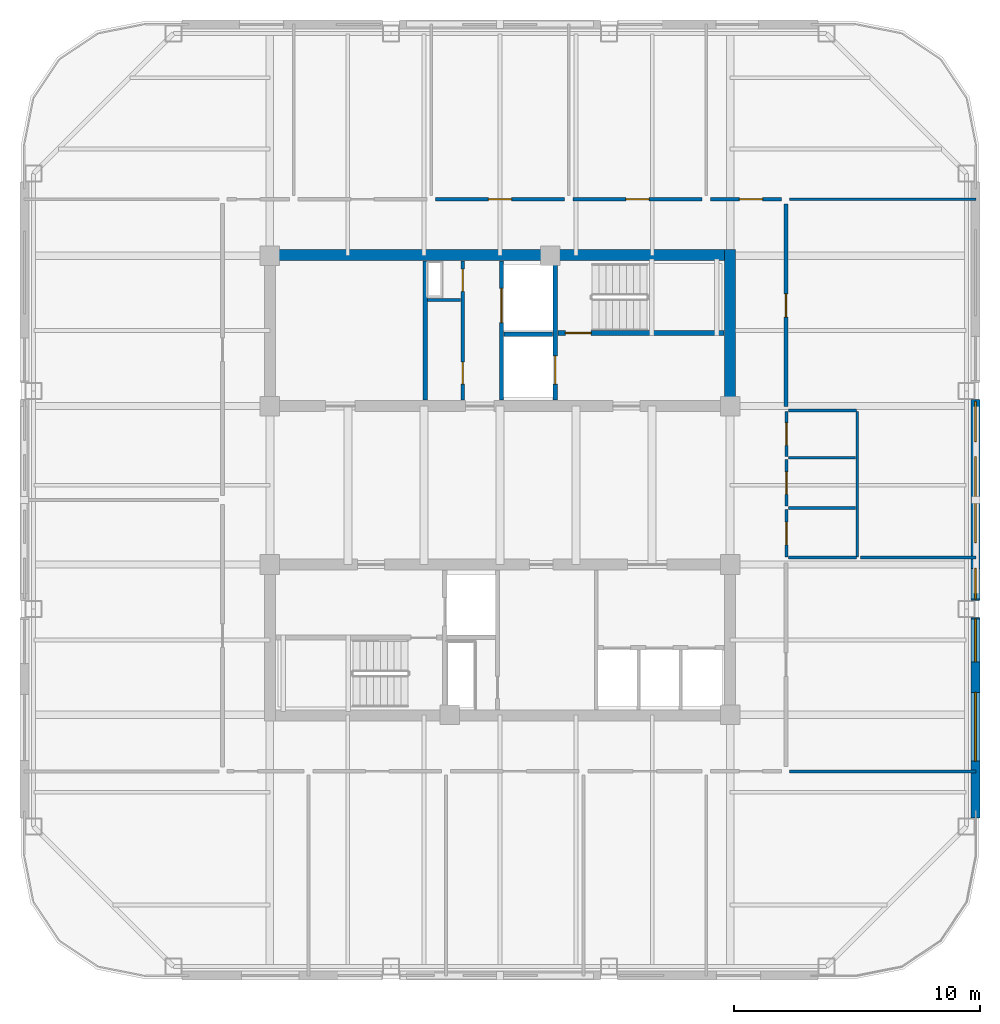
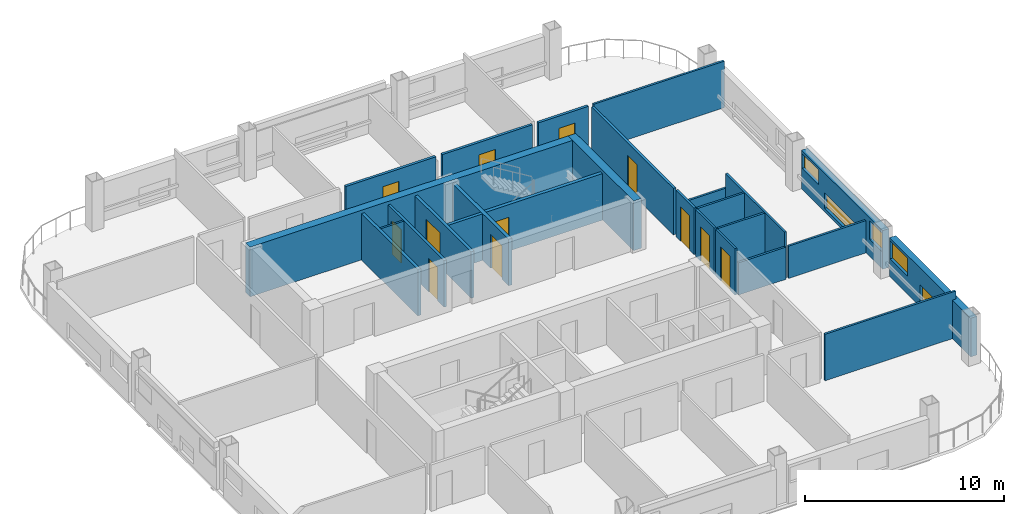
# One storey, part 4 of 8: 26 walls, 12 doors, 5 windows, 17 openings.
"""IFC4 building model written with IfcOpenShell, lengths in metres."""

from ifc_helpers import new_model, si_unit, direction, frame, frame_2d, origin, place, context, subcontext, project, spatial, rectangle, extrude, material, layer, layer_set, type_object, element, fill, save


model = new_model("IFC4")

# Units and contexts
model_context = context("Model", 3, precision=1e-05, world=origin(), true_north=direction((0.0, 1.0)))
body_context = subcontext(model_context, "Body", "Model", "MODEL_VIEW")
ifc_project = project(units=[si_unit("LENGTHUNIT", "METRE"), si_unit("AREAUNIT", "SQUARE_METRE"), si_unit("VOLUMEUNIT", "CUBIC_METRE"), si_unit("PLANEANGLEUNIT", "RADIAN"), si_unit("MASSUNIT", "GRAM", prefix="KILO")], contexts=[model_context])

# Site, building, storey
site_placement = place(None, origin())
site = spatial("IfcSite", under=ifc_project, at=site_placement, CompositionType="ELEMENT")
building_placement = place(site_placement, origin())
building = spatial("IfcBuilding", under=site, at=building_placement, Name="Qhalaya Broadcast Tower", CompositionType="ELEMENT")
storey_placement = place(building_placement, frame((0.0, 0.0, 208.64990234375)))
storey = spatial("IfcBuildingStorey", under=building, at=storey_placement, Name="L61", CompositionType="ELEMENT", Elevation=208.64990234375)

# Wall, openings, doors
ifc_material_1 = material(Name="Gypsum Acoustic Partition")
ifc_layer_1 = layer(ifc_material_1, 0.14990234375, Name="Gypsum Acoustic Partition")
ifc_layer_set_1 = layer_set([ifc_layer_1], Name="Gypsum Acoustic Partition")
wall_type_1 = type_object("IfcWallType", Name="Corridor & Tenancy Acoustic Partition 150", PredefinedType="PARTITIONING", material=ifc_layer_set_1)
wall_1_placement = place(storey_placement, frame((-1.52001953125, 4.070068359375, 0.0), z_axis=(0.0, 0.0, 1.0), x_axis=(0.0, 1.0, 0.0)))
wall_1 = element("IfcWall", 1, at=wall_1_placement, inside=storey, type_object=wall_type_1, Name="L61 Partition Wall NCW-SVL", PredefinedType="PARTITIONING", context=body_context, shape_type="SweptSolid", body=[
    extrude(rectangle(XDim=5.659912109375, YDim=0.14990234375, at=frame_2d((2.830078125, 0.0))), origin(), (0.0, 0.0, 1.0), 2.860107421875),
])
opening_1_placement = place(wall_1_placement, frame((4.429931640625, 0.0, 0.0)))
opening_1 = element("IfcOpeningElement", 2, at=opening_1_placement, cuts=wall_1, Name="Opening D06", PredefinedType="OPENING", context=body_context, shape_type="SweptSolid", body=[
    extrude(rectangle(XDim=0.89990234375, YDim=2.050048828125, at=frame_2d((0.449951171875, 1.02490234375))), frame((0.0, 0.0869140625, 0.0), z_axis=(0.0, -1.0, 0.0), x_axis=(1.0, 0.0, 0.0)), (0.0, 0.0, 1.0), 0.173828125),
])
opening_2_placement = place(wall_1_placement, frame((0.64990234375, 0.0, 0.0)))
opening_2 = element("IfcOpeningElement", 3, at=opening_2_placement, cuts=wall_1, Name="Opening D06", PredefinedType="OPENING", context=body_context, shape_type="SweptSolid", body=[
    extrude(rectangle(XDim=0.89990234375, YDim=2.050048828125, at=frame_2d((0.449951171875, 1.02490234375))), frame((0.0, 0.0869140625, 0.0), z_axis=(0.0, -1.0, 0.0), x_axis=(1.0, 0.0, 0.0)), (0.0, 0.0, 1.0), 0.173828125),
])
ifc_material_2 = material(Name="Fire-Rated Steel Door", Category="steel")
door_type_1 = type_object("IfcDoorType", Name="Riser & Electrical Shaft Access Door D06", OperationType="NOTDEFINED", PredefinedType="DOOR", material=ifc_material_2)
door_1_placement = place(opening_1_placement, origin())
door_1 = element("IfcDoor", 4, at=door_1_placement, inside=storey, type_object=door_type_1, Name="L61 Riser Shaft Access Door D-NRSR", OperationType="SINGLE_SWING_RIGHT", OverallHeight=2.050048828125, OverallWidth=0.89990234375, PredefinedType="DOOR", context=body_context, shape_type="SweptSolid", body=[
    extrude(rectangle(XDim=0.89990234375, YDim=2.050048828125, at=frame_2d((0.449951171875, 1.02490234375))), frame((0.0, 0.02490234375, 0.0), z_axis=(0.0, -1.0, 0.0), x_axis=(1.0, 0.0, 0.0)), (0.0, 0.0, 1.0), 0.050048828125),
])
fill(opening_1, door_1)
door_2_placement = place(opening_2_placement, origin())
door_2 = element("IfcDoor", 5, at=door_2_placement, inside=storey, type_object=door_type_1, Name="L61 Door D-NCST", OperationType="SINGLE_SWING_LEFT", OverallHeight=2.050048828125, OverallWidth=0.89990234375, PredefinedType="DOOR", context=body_context, shape_type="SweptSolid", body=[
    extrude(rectangle(XDim=0.89990234375, YDim=2.050048828125, at=frame_2d((0.449951171875, 1.02490234375))), frame((0.0, 0.02490234375, 0.0), z_axis=(0.0, -1.0, 0.0), x_axis=(1.0, 0.0, 0.0)), (0.0, 0.0, 1.0), 0.050048828125),
])
fill(opening_2, door_2)

# Wall, opening, door
wall_2_placement = place(storey_placement, frame((-2.6201171875, 12.25, 0.0), z_axis=(0.0, 0.0, 1.0), x_axis=(1.0, 0.0, 0.0)))
wall_2 = element("IfcWall", 6, at=wall_2_placement, inside=storey, type_object=wall_type_1, Name="L61 Partition Wall W-COR-03", PredefinedType="PARTITIONING", context=body_context, shape_type="SweptSolid", body=[
    extrude(rectangle(XDim=5.240234375, YDim=0.14990234375, at=frame_2d((2.6201171875, 0.0))), origin(), (0.0, 0.0, 1.0), 2.860107421875),
])
opening_3_placement = place(wall_2_placement, frame((2.14501953125, 0.0, 0.0)))
opening_3 = element("IfcOpeningElement", 7, at=opening_3_placement, cuts=wall_2, Name="Opening D10", PredefinedType="OPENING", context=body_context, shape_type="SweptSolid", body=[
    extrude(rectangle(XDim=0.949951171875, YDim=2.10009765625, at=frame_2d((0.47509765625, 1.050048828125))), frame((0.0, 0.0869140625, 0.0), z_axis=(0.0, -1.0, 0.0), x_axis=(1.0, 0.0, 0.0)), (0.0, 0.0, 1.0), 0.173828125),
])
ifc_material_3 = material(Name="Timber Veneer Acoustic Door", Category="wood")
door_type_2 = type_object("IfcDoorType", Name="Cellular Office & Edit Booth Door D10", OperationType="NOTDEFINED", PredefinedType="DOOR", material=ifc_material_3)
door_3_placement = place(opening_3_placement, origin())
door_3 = element("IfcDoor", 8, at=door_3_placement, inside=storey, type_object=door_type_2, Name="L61 Door D-RM03", OperationType="SINGLE_SWING_LEFT", OverallHeight=2.10009765625, OverallWidth=0.949951171875, PredefinedType="DOOR", context=body_context, shape_type="SweptSolid", body=[
    extrude(rectangle(XDim=0.949951171875, YDim=2.10009765625, at=frame_2d((0.47509765625, 1.050048828125))), frame((0.0, 0.02490234375, 0.0), z_axis=(0.0, -1.0, 0.0), x_axis=(1.0, 0.0, 0.0)), (0.0, 0.0, 1.0), 0.050048828125),
])
fill(opening_3, door_3)

wall_3_placement = place(storey_placement, frame((2.97998046875, 12.25, 0.0), z_axis=(0.0, 0.0, 1.0), x_axis=(1.0, 0.0, 0.0)))
wall_3 = element("IfcWall", 9, at=wall_3_placement, inside=storey, type_object=wall_type_1, Name="L61 Partition Wall W-COR-04", PredefinedType="PARTITIONING", context=body_context, shape_type="SweptSolid", body=[
    extrude(rectangle(XDim=5.239990234375, YDim=0.14990234375, at=frame_2d((2.6201171875, 0.0))), origin(), (0.0, 0.0, 1.0), 2.860107421875),
])
opening_4_placement = place(wall_3_placement, frame((2.14501953125, 0.0, 0.0)))
opening_4 = element("IfcOpeningElement", 10, at=opening_4_placement, cuts=wall_3, Name="Opening D10", PredefinedType="OPENING", context=body_context, shape_type="SweptSolid", body=[
    extrude(rectangle(XDim=0.949951171875, YDim=2.10009765625, at=frame_2d((0.47509765625, 1.050048828125))), frame((0.0, 0.0869140625, 0.0), z_axis=(0.0, -1.0, 0.0), x_axis=(1.0, 0.0, 0.0)), (0.0, 0.0, 1.0), 0.173828125),
])
door_4_placement = place(opening_4_placement, origin())
door_4 = element("IfcDoor", 11, at=door_4_placement, inside=storey, type_object=door_type_2, Name="L61 Door D-RM04", OperationType="SINGLE_SWING_RIGHT", OverallHeight=2.10009765625, OverallWidth=0.949951171875, PredefinedType="DOOR", context=body_context, shape_type="SweptSolid", body=[
    extrude(rectangle(XDim=0.949951171875, YDim=2.10009765625, at=frame_2d((0.47509765625, 1.050048828125))), frame((0.0, 0.02490234375, 0.0), z_axis=(0.0, -1.0, 0.0), x_axis=(1.0, 0.0, 0.0)), (0.0, 0.0, 1.0), 0.050048828125),
])
fill(opening_4, door_4)

wall_4_placement = place(storey_placement, frame((8.580078125, 12.25, 0.0), z_axis=(0.0, 0.0, 1.0), x_axis=(1.0, 0.0, 0.0)))
wall_4 = element("IfcWall", 12, at=wall_4_placement, inside=storey, type_object=wall_type_1, Name="L61 Partition Wall W-COR-05", PredefinedType="PARTITIONING", context=body_context, shape_type="SweptSolid", body=[
    extrude(rectangle(XDim=2.889892578125, YDim=0.14990234375, at=frame_2d((1.44482421875, 0.0))), origin(), (0.0, 0.0, 1.0), 2.860107421875),
])
opening_5_placement = place(wall_4_placement, frame((1.169921875, 0.0, 0.0)))
opening_5 = element("IfcOpeningElement", 13, at=opening_5_placement, cuts=wall_4, Name="Opening D10", PredefinedType="OPENING", context=body_context, shape_type="SweptSolid", body=[
    extrude(rectangle(XDim=0.949951171875, YDim=2.10009765625, at=frame_2d((0.47509765625, 1.050048828125))), frame((0.0, 0.0869140625, 0.0), z_axis=(0.0, -1.0, 0.0), x_axis=(1.0, 0.0, 0.0)), (0.0, 0.0, 1.0), 0.173828125),
])
door_5_placement = place(opening_5_placement, origin())
door_5 = element("IfcDoor", 14, at=door_5_placement, inside=storey, type_object=door_type_2, Name="L61 Door D-RM05", OperationType="SINGLE_SWING_LEFT", OverallHeight=2.10009765625, OverallWidth=0.949951171875, PredefinedType="DOOR", context=body_context, shape_type="SweptSolid", body=[
    extrude(rectangle(XDim=0.949951171875, YDim=2.10009765625, at=frame_2d((0.47509765625, 1.050048828125))), frame((0.0, 0.02490234375, 0.0), z_axis=(0.0, -1.0, 0.0), x_axis=(1.0, 0.0, 0.0)), (0.0, 0.0, 1.0), 0.050048828125),
])
fill(opening_5, door_5)

wall_5_placement = place(storey_placement, frame((11.64990234375, 3.800048828125, 0.0), z_axis=(0.0, 0.0, 1.0), x_axis=(0.0, 1.0, 0.0)))
wall_5 = element("IfcWall", 15, at=wall_5_placement, inside=storey, type_object=wall_type_1, Name="L61 Partition Wall W-COR-14", PredefinedType="PARTITIONING", context=body_context, shape_type="SweptSolid", body=[
    extrude(rectangle(XDim=8.25, YDim=0.14990234375, at=frame_2d((4.125, 0.0))), origin(), (0.0, 0.0, 1.0), 2.860107421875),
])
opening_6_placement = place(wall_5_placement, frame((3.64990234375, 0.0, 0.0)))
opening_6 = element("IfcOpeningElement", 16, at=opening_6_placement, cuts=wall_5, Name="Opening D10", PredefinedType="OPENING", context=body_context, shape_type="SweptSolid", body=[
    extrude(rectangle(XDim=0.949951171875, YDim=2.10009765625, at=frame_2d((0.47509765625, 1.050048828125))), frame((0.0, 0.0869140625, 0.0), z_axis=(0.0, -1.0, 0.0), x_axis=(1.0, 0.0, 0.0)), (0.0, 0.0, 1.0), 0.173828125),
])
door_6_placement = place(opening_6_placement, origin())
door_6 = element("IfcDoor", 17, at=door_6_placement, inside=storey, type_object=door_type_2, Name="L61 Door D-RM14", OperationType="SINGLE_SWING_RIGHT", OverallHeight=2.10009765625, OverallWidth=0.949951171875, PredefinedType="DOOR", context=body_context, shape_type="SweptSolid", body=[
    extrude(rectangle(XDim=0.949951171875, YDim=2.10009765625, at=frame_2d((0.47509765625, 1.050048828125))), frame((0.0, 0.02490234375, 0.0), z_axis=(0.0, -1.0, 0.0), x_axis=(1.0, 0.0, 0.0)), (0.0, 0.0, 1.0), 0.050048828125),
])
fill(opening_6, door_6)

# Wall, openings, windows
ifc_material_4 = material(Name="Precast Concrete C40/50", Category="concrete")
ifc_layer_2 = layer(ifc_material_4, 0.360107421875, Name="Precast Concrete C40/50")
ifc_layer_set_2 = layer_set([ifc_layer_2], Name="Precast Concrete C40/50")
wall_type_2 = type_object("IfcWallType", Name="Insulated Precast Terracotta Exterior Wall 360", PredefinedType="SOLIDWALL", material=ifc_layer_set_2)
wall_6_placement = place(storey_placement, frame((19.360107421875, 4.083251953125, 0.0), z_axis=(0.0, 0.0, 1.0), x_axis=(0.0, -1.0, 0.0)))
wall_6 = element("IfcWall", 18, at=wall_6_placement, inside=storey, type_object=wall_type_2, Name="L61 Exoskeleton Diagrid Infill Wall E2", PredefinedType="SOLIDWALL", context=body_context, shape_type="SweptSolid", body=[
    extrude(rectangle(XDim=8.16650390625, YDim=0.360107421875, at=frame_2d((4.083251953125, 0.0))), origin(), (0.0, 0.0, 1.0), 2.3740234375),
])
opening_7_placement = place(wall_6_placement, frame((0.071044921875, 0.0, 1.300048828125)))
opening_7 = element("IfcOpeningElement", 19, at=opening_7_placement, cuts=wall_6, Name="Opening W13", PredefinedType="OPENING", context=body_context, shape_type="SweptSolid", body=[
    extrude(rectangle(XDim=1.64990234375, YDim=0.89990234375, at=frame_2d((0.824951171875, 0.449951171875))), frame((0.0, 0.192138671875, 0.0), z_axis=(0.0, -1.0, 0.0), x_axis=(1.0, 0.0, 0.0)), (0.0, 0.0, 1.0), 0.384033203125),
])
opening_8_placement = place(wall_6_placement, frame((2.321044921875, 0.0, 0.199951171875)))
opening_8 = element("IfcOpeningElement", 20, at=opening_8_placement, cuts=wall_6, Name="Opening W13", PredefinedType="OPENING", context=body_context, shape_type="SweptSolid", body=[
    extrude(rectangle(XDim=3.5, YDim=0.949951171875, at=frame_2d((1.75, 0.47509765625))), frame((0.0, 0.192138671875, 0.0), z_axis=(0.0, -1.0, 0.0), x_axis=(1.0, 0.0, 0.0)), (0.0, 0.0, 1.0), 0.384033203125),
])
opening_9_placement = place(wall_6_placement, frame((6.87109375, 0.0, 1.050048828125)))
opening_9 = element("IfcOpeningElement", 21, at=opening_9_placement, cuts=wall_6, Name="Opening W13", PredefinedType="OPENING", context=body_context, shape_type="SweptSolid", body=[
    extrude(rectangle(XDim=1.25, YDim=1.14990234375, at=frame_2d((0.625, 0.574951171875))), frame((0.0, 0.192138671875, 0.0), z_axis=(0.0, -1.0, 0.0), x_axis=(1.0, 0.0, 0.0)), (0.0, 0.0, 1.0), 0.384033203125),
])
ifc_material_5 = material(Name="Solar-Control Low-E Triple Glazing", Category="glass")
window_type = type_object("IfcWindowType", Name="Upper-Block Diagrid Infill Window W13", PartitioningType="SINGLE_PANEL", PredefinedType="WINDOW", material=ifc_material_5)
window_1_placement = place(opening_7_placement, origin())
window_1 = element("IfcWindow", 22, at=window_1_placement, inside=storey, type_object=window_type, Name="L61 Diagrid Infill Window W13-E3", OverallHeight=0.89990234375, OverallWidth=1.64990234375, PartitioningType="SINGLE_PANEL", PredefinedType="WINDOW", context=body_context, shape_type="SweptSolid", body=[
    extrude(rectangle(XDim=1.64990234375, YDim=0.89990234375, at=frame_2d((0.824951171875, 0.449951171875))), frame((0.0, 0.030029296875, 0.0), z_axis=(0.0, -1.0, 0.0), x_axis=(1.0, 0.0, 0.0)), (0.0, 0.0, 1.0), 0.06005859375),
])
fill(opening_7, window_1)
window_2_placement = place(opening_8_placement, origin())
window_2 = element("IfcWindow", 23, at=window_2_placement, inside=storey, type_object=window_type, Name="L61 Diagrid Infill Window W13-E4", OverallHeight=0.949951171875, OverallWidth=3.5, PartitioningType="SINGLE_PANEL", PredefinedType="WINDOW", context=body_context, shape_type="SweptSolid", body=[
    extrude(rectangle(XDim=3.5, YDim=0.949951171875, at=frame_2d((1.75, 0.47509765625))), frame((0.0, 0.030029296875, 0.0), z_axis=(0.0, -1.0, 0.0), x_axis=(1.0, 0.0, 0.0)), (0.0, 0.0, 1.0), 0.06005859375),
])
fill(opening_8, window_2)
window_3_placement = place(opening_9_placement, origin())
window_3 = element("IfcWindow", 24, at=window_3_placement, inside=storey, type_object=window_type, Name="L61 Diagrid Infill Window W13-E5", OverallHeight=1.14990234375, OverallWidth=1.25, PartitioningType="SINGLE_PANEL", PredefinedType="WINDOW", context=body_context, shape_type="SweptSolid", body=[
    extrude(rectangle(XDim=1.25, YDim=1.14990234375, at=frame_2d((0.625, 0.574951171875))), frame((0.0, 0.030029296875, 0.0), z_axis=(0.0, -1.0, 0.0), x_axis=(1.0, 0.0, 0.0)), (0.0, 0.0, 1.0), 0.06005859375),
])
fill(opening_9, window_3)

wall_7_placement = place(storey_placement, frame((19.360107421875, -4.783203125, 0.0), z_axis=(0.0, 0.0, 1.0), x_axis=(0.0, -1.0, 0.0)))
wall_7 = element("IfcWall", 25, at=wall_7_placement, inside=storey, type_object=wall_type_2, Name="L61 Exoskeleton Diagrid Infill Wall E3", PredefinedType="SOLIDWALL", context=body_context, shape_type="SweptSolid", body=[
    extrude(rectangle(XDim=8.1787109375, YDim=0.360107421875, at=frame_2d((4.08935546875, 0.0))), origin(), (0.0, 0.0, 1.0), 2.3740234375),
])
opening_10_placement = place(wall_7_placement, frame((0.054931640625, 0.0, 1.10009765625)))
opening_10 = element("IfcOpeningElement", 26, at=opening_10_placement, cuts=wall_7, Name="Opening W13", PredefinedType="OPENING", context=body_context, shape_type="SweptSolid", body=[
    extrude(rectangle(XDim=1.75, YDim=1.10009765625, at=frame_2d((0.875, 0.550048828125))), frame((0.0, 0.192138671875, 0.0), z_axis=(0.0, -1.0, 0.0), x_axis=(1.0, 0.0, 0.0)), (0.0, 0.0, 1.0), 0.384033203125),
])
opening_11_placement = place(wall_7_placement, frame((3.054931640625, 0.0, 0.199951171875)))
opening_11 = element("IfcOpeningElement", 27, at=opening_11_placement, cuts=wall_7, Name="Opening W13", PredefinedType="OPENING", context=body_context, shape_type="SweptSolid", body=[
    extrude(rectangle(XDim=2.800048828125, YDim=1.14990234375, at=frame_2d((1.39990234375, 0.574951171875))), frame((0.0, 0.192138671875, 0.0), z_axis=(0.0, -1.0, 0.0), x_axis=(1.0, 0.0, 0.0)), (0.0, 0.0, 1.0), 0.384033203125),
])
window_4_placement = place(opening_10_placement, origin())
window_4 = element("IfcWindow", 28, at=window_4_placement, inside=storey, type_object=window_type, Name="L61 Diagrid Infill Window W13-E6", OverallHeight=1.10009765625, OverallWidth=1.75, PartitioningType="SINGLE_PANEL", PredefinedType="WINDOW", context=body_context, shape_type="SweptSolid", body=[
    extrude(rectangle(XDim=1.75, YDim=1.10009765625, at=frame_2d((0.875, 0.550048828125))), frame((0.0, 0.030029296875, 0.0), z_axis=(0.0, -1.0, 0.0), x_axis=(1.0, 0.0, 0.0)), (0.0, 0.0, 1.0), 0.06005859375),
])
fill(opening_10, window_4)
window_5_placement = place(opening_11_placement, origin())
window_5 = element("IfcWindow", 29, at=window_5_placement, inside=storey, type_object=window_type, Name="L61 Diagrid Infill Window W13-E7", OverallHeight=1.14990234375, OverallWidth=2.800048828125, PartitioningType="SINGLE_PANEL", PredefinedType="WINDOW", context=body_context, shape_type="SweptSolid", body=[
    extrude(rectangle(XDim=2.800048828125, YDim=1.14990234375, at=frame_2d((1.39990234375, 0.574951171875))), frame((0.0, 0.030029296875, 0.0), z_axis=(0.0, -1.0, 0.0), x_axis=(1.0, 0.0, 0.0)), (0.0, 0.0, 1.0), 0.06005859375),
])
fill(opening_11, window_5)

# Wall, opening, door
ifc_material_6 = material(Name="Concrete C50/60", Category="concrete")
ifc_layer_3 = layer(ifc_material_6, 0.199951171875, Name="Concrete C50/60")
ifc_layer_set_3 = layer_set([ifc_layer_3], Name="Concrete C50/60")
wall_type_3 = type_object("IfcWallType", Name="Load-Bearing Stair Shaft Wall 200", PredefinedType="SHEAR", material=ifc_layer_set_3)
wall_8_placement = place(storey_placement, frame((2.360107421875, 6.804931640625, 0.0), z_axis=(0.0, 0.0, 1.0), x_axis=(1.0, 0.0, 0.0)))
wall_8 = element("IfcWall", 30, at=wall_8_placement, inside=storey, type_object=wall_type_3, Name="L61 Stair Core Shear Wall NCW-ST1", PredefinedType="SHEAR", context=body_context, shape_type="SweptSolid", body=[
    extrude(rectangle(XDim=6.769775390625, YDim=0.199951171875, at=frame_2d((3.384765625, 0.0))), origin(), (0.0, 0.0, 1.0), 2.860107421875),
])
opening_12_placement = place(wall_8_placement, frame((0.300048828125, 0.0, 0.0)))
opening_12 = element("IfcOpeningElement", 31, at=opening_12_placement, cuts=wall_8, Name="Opening D03", PredefinedType="OPENING", context=body_context, shape_type="SweptSolid", body=[
    extrude(rectangle(XDim=1.050048828125, YDim=2.080078125, at=frame_2d((0.52490234375, 1.0400390625))), frame((0.0, 0.112060546875, 0.0), z_axis=(0.0, -1.0, 0.0), x_axis=(1.0, 0.0, 0.0)), (0.0, 0.0, 1.0), 0.223876953125),
])
door_type_3 = type_object("IfcDoorType", Name="Core Stair Protected Fire Door D03", OperationType="NOTDEFINED", PredefinedType="DOOR", material=ifc_material_2)
door_7_placement = place(opening_12_placement, origin())
door_7 = element("IfcDoor", 32, at=door_7_placement, inside=storey, type_object=door_type_3, Name="L61 Door D-NST1", OperationType="SINGLE_SWING_LEFT", OverallHeight=2.080078125, OverallWidth=1.050048828125, PredefinedType="DOOR", context=body_context, shape_type="SweptSolid", body=[
    extrude(rectangle(XDim=1.050048828125, YDim=2.080078125, at=frame_2d((0.52490234375, 1.0400390625))), frame((0.0, 0.02490234375, 0.0), z_axis=(0.0, -1.0, 0.0), x_axis=(1.0, 0.0, 0.0)), (0.0, 0.0, 1.0), 0.050048828125),
])
fill(opening_12, door_7)

wall_9_placement = place(storey_placement, frame((2.25, 4.070068359375, 0.0), z_axis=(0.0, 0.0, 1.0), x_axis=(0.0, 1.0, 0.0)))
wall_9 = element("IfcWall", 33, at=wall_9_placement, inside=storey, type_object=wall_type_3, Name="L61 Stair Core Shear Wall NCW-FF", PredefinedType="SHEAR", context=body_context, shape_type="SweptSolid", body=[
    extrude(rectangle(XDim=5.659912109375, YDim=0.199951171875, at=frame_2d((2.830078125, 0.0))), origin(), (0.0, 0.0, 1.0), 2.860107421875),
])
opening_13_placement = place(wall_9_placement, frame((0.64990234375, 0.0, 0.0)))
opening_13 = element("IfcOpeningElement", 34, at=opening_13_placement, cuts=wall_9, Name="Opening LD2", PredefinedType="OPENING", context=body_context, shape_type="SweptSolid", body=[
    extrude(rectangle(XDim=1.14990234375, YDim=2.080078125, at=frame_2d((0.574951171875, 1.0400390625))), frame((0.0, 0.112060546875, 0.0), z_axis=(0.0, -1.0, 0.0), x_axis=(1.0, 0.0, 0.0)), (0.0, 0.0, 1.0), 0.223876953125),
])
ifc_material_7 = material(Name="Brushed Stainless Steel Lift Door", Category="steel")
door_type_4 = type_object("IfcDoorType", Name="Firefighting Lift Sliding Landing Door LD2", OperationType="DOUBLE_DOOR_SLIDING", PredefinedType="DOOR", material=ifc_material_7)
door_8_placement = place(opening_13_placement, origin())
door_8 = element("IfcDoor", 35, at=door_8_placement, inside=storey, type_object=door_type_4, Name="L61 Door LD-FF1", OperationType="DOUBLE_DOOR_SLIDING", OverallHeight=2.080078125, OverallWidth=1.14990234375, PredefinedType="DOOR", context=body_context, shape_type="SweptSolid", body=[
    extrude(rectangle(XDim=1.14990234375, YDim=2.080078125, at=frame_2d((0.574951171875, 1.0400390625))), frame((0.0, 0.02490234375, 0.0), z_axis=(0.0, -1.0, 0.0), x_axis=(1.0, 0.0, 0.0)), (0.0, 0.0, 1.0), 0.050048828125),
])
fill(opening_13, door_8)

# Wall
ifc_layer_4 = layer(ifc_material_1, 0.1201171875, Name="Gypsum Acoustic Partition")
ifc_layer_set_4 = layer_set([ifc_layer_4], Name="Gypsum Acoustic Partition")
wall_type_4 = type_object("IfcWallType", Name="Office, Booth & Sanitary Partition 120", PredefinedType="PARTITIONING", material=ifc_layer_set_4)
wall_10_placement = place(storey_placement, frame((-2.9599609375, 8.14990234375, 0.0), z_axis=(0.0, 0.0, 1.0), x_axis=(1.0, 0.0, 0.0)))
element("IfcWall", 36, at=wall_10_placement, inside=storey, type_object=wall_type_4, Name="L61 Partition Wall NCW-VA", PredefinedType="PARTITIONING", context=body_context, shape_type="SweptSolid", body=[
    extrude(rectangle(XDim=1.35986328125, YDim=0.1201171875, at=frame_2d((0.679931640625, 0.0))), origin(), (0.0, 0.0, 1.0), 2.860107421875),
])

# Wall, opening, door
wall_11_placement = place(storey_placement, frame((11.669921875, -2.320068359375, 0.0), z_axis=(0.0, 0.0, 1.0), x_axis=(0.0, 1.0, 0.0)))
wall_11 = element("IfcWall", 37, at=wall_11_placement, inside=storey, type_object=wall_type_4, Name="L61 Partition Wall W-WCWA", PredefinedType="PARTITIONING", context=body_context, shape_type="SweptSolid", body=[
    extrude(rectangle(XDim=1.940185546875, YDim=0.1201171875, at=frame_2d((0.97021484375, 0.0))), origin(), (0.0, 0.0, 1.0), 2.860107421875),
])
opening_14_placement = place(wall_11_placement, frame((0.4951171875, 0.0, 0.0)))
opening_14 = element("IfcOpeningElement", 38, at=opening_14_placement, cuts=wall_11, Name="Opening D12", PredefinedType="OPENING", context=body_context, shape_type="SweptSolid", body=[
    extrude(rectangle(XDim=0.919921875, YDim=2.10009765625, at=frame_2d((0.4599609375, 1.050048828125))), frame((0.0, 0.072021484375, 0.0), z_axis=(0.0, -1.0, 0.0), x_axis=(1.0, 0.0, 0.0)), (0.0, 0.0, 1.0), 0.14404296875),
])
door_type_5 = type_object("IfcDoorType", Name="Accessible WC & Restroom Door D12", OperationType="NOTDEFINED", PredefinedType="DOOR", material=ifc_material_3)
door_9_placement = place(opening_14_placement, origin())
door_9 = element("IfcDoor", 39, at=door_9_placement, inside=storey, type_object=door_type_5, Name="L61 Door D-WCA", OperationType="SINGLE_SWING_LEFT", OverallHeight=2.10009765625, OverallWidth=0.919921875, PredefinedType="DOOR", context=body_context, shape_type="SweptSolid", body=[
    extrude(rectangle(XDim=0.919921875, YDim=2.10009765625, at=frame_2d((0.4599609375, 1.050048828125))), frame((0.0, 0.02490234375, 0.0), z_axis=(0.0, -1.0, 0.0), x_axis=(1.0, 0.0, 0.0)), (0.0, 0.0, 1.0), 0.050048828125),
])
fill(opening_14, door_9)

wall_12_placement = place(storey_placement, frame((11.669921875, -0.25, 0.0), z_axis=(0.0, 0.0, 1.0), x_axis=(0.0, 1.0, 0.0)))
wall_12 = element("IfcWall", 40, at=wall_12_placement, inside=storey, type_object=wall_type_4, Name="L61 Partition Wall W-WCWM", PredefinedType="PARTITIONING", context=body_context, shape_type="SweptSolid", body=[
    extrude(rectangle(XDim=1.89990234375, YDim=0.1201171875, at=frame_2d((0.949951171875, 0.0))), origin(), (0.0, 0.0, 1.0), 2.860107421875),
])
opening_15_placement = place(wall_12_placement, frame((0.47509765625, 0.0, 0.0)))
opening_15 = element("IfcOpeningElement", 41, at=opening_15_placement, cuts=wall_12, Name="Opening D12", PredefinedType="OPENING", context=body_context, shape_type="SweptSolid", body=[
    extrude(rectangle(XDim=0.919921875, YDim=2.10009765625, at=frame_2d((0.4599609375, 1.050048828125))), frame((0.0, 0.072021484375, 0.0), z_axis=(0.0, -1.0, 0.0), x_axis=(1.0, 0.0, 0.0)), (0.0, 0.0, 1.0), 0.14404296875),
])
door_10_placement = place(opening_15_placement, origin())
door_10 = element("IfcDoor", 42, at=door_10_placement, inside=storey, type_object=door_type_5, Name="L61 Door D-WCM", OperationType="SINGLE_SWING_RIGHT", OverallHeight=2.10009765625, OverallWidth=0.919921875, PredefinedType="DOOR", context=body_context, shape_type="SweptSolid", body=[
    extrude(rectangle(XDim=0.919921875, YDim=2.10009765625, at=frame_2d((0.4599609375, 1.050048828125))), frame((0.0, 0.02490234375, 0.0), z_axis=(0.0, -1.0, 0.0), x_axis=(1.0, 0.0, 0.0)), (0.0, 0.0, 1.0), 0.050048828125),
])
fill(opening_15, door_10)

wall_13_placement = place(storey_placement, frame((11.669921875, 1.780029296875, 0.0), z_axis=(0.0, 0.0, 1.0), x_axis=(0.0, 1.0, 0.0)))
wall_13 = element("IfcWall", 43, at=wall_13_placement, inside=storey, type_object=wall_type_4, Name="L61 Partition Wall W-WCWF", PredefinedType="PARTITIONING", context=body_context, shape_type="SweptSolid", body=[
    extrude(rectangle(XDim=1.830078125, YDim=0.1201171875, at=frame_2d((0.9150390625, 0.0))), origin(), (0.0, 0.0, 1.0), 2.860107421875),
])
opening_16_placement = place(wall_13_placement, frame((0.43994140625, 0.0, 0.0)))
opening_16 = element("IfcOpeningElement", 44, at=opening_16_placement, cuts=wall_13, Name="Opening D12", PredefinedType="OPENING", context=body_context, shape_type="SweptSolid", body=[
    extrude(rectangle(XDim=0.919921875, YDim=2.10009765625, at=frame_2d((0.4599609375, 1.050048828125))), frame((0.0, 0.072021484375, 0.0), z_axis=(0.0, -1.0, 0.0), x_axis=(1.0, 0.0, 0.0)), (0.0, 0.0, 1.0), 0.14404296875),
])
door_11_placement = place(opening_16_placement, origin())
door_11 = element("IfcDoor", 45, at=door_11_placement, inside=storey, type_object=door_type_5, Name="L61 Door D-WCF", OperationType="SINGLE_SWING_LEFT", OverallHeight=2.10009765625, OverallWidth=0.919921875, PredefinedType="DOOR", context=body_context, shape_type="SweptSolid", body=[
    extrude(rectangle(XDim=0.919921875, YDim=2.10009765625, at=frame_2d((0.4599609375, 1.050048828125))), frame((0.0, 0.02490234375, 0.0), z_axis=(0.0, -1.0, 0.0), x_axis=(1.0, 0.0, 0.0)), (0.0, 0.0, 1.0), 0.050048828125),
])
fill(opening_16, door_11)

# Walls
wall_14_placement = place(storey_placement, frame((14.550048828125, -2.320068359375, 0.0), z_axis=(0.0, 0.0, 1.0), x_axis=(0.0, 1.0, 0.0)))
element("IfcWall", 46, at=wall_14_placement, inside=storey, type_object=wall_type_4, Name="L61 Partition Wall W-WCE", PredefinedType="PARTITIONING", context=body_context, shape_type="SweptSolid", body=[
    extrude(rectangle(XDim=5.93017578125, YDim=0.1201171875, at=frame_2d((2.965087890625, 0.0))), origin(), (0.0, 0.0, 1.0), 2.860107421875),
])
for number, where, z_axis, x_axis, name in (
    (47, (11.760009765625, -2.35009765625, 0.0), (0.0, 0.0, 1.0), (1.0, 0.0, 0.0), "L61 Partition Wall W-WCS"),
    (48, (11.760009765625, 3.639892578125, 0.0), (0.0, 0.0, 1.0), (1.0, 0.0, 0.0), "L61 Partition Wall W-WCN"),
):
    element("IfcWall", number, at=place(storey_placement, frame(where, z_axis=z_axis, x_axis=x_axis)), inside=storey, type_object=wall_type_4, Name=name, PredefinedType="PARTITIONING", context=body_context, shape_type="SweptSolid", body=[
        extrude(rectangle(XDim=2.760009765625, YDim=0.1201171875, at=frame_2d((1.3798828125, 0.0))), origin(), (0.0, 0.0, 1.0), 1.981201171875),
    ])
for number, where, z_axis, x_axis, name in (
    (49, (11.760009765625, -0.320068359375, 0.0), (0.0, 0.0, 1.0), (1.0, 0.0, 0.0), "L61 Partition Wall W-WCD1"),
    (50, (11.760009765625, 1.719970703125, 0.0), (0.0, 0.0, 1.0), (1.0, 0.0, 0.0), "L61 Partition Wall W-WCD2"),
):
    element("IfcWall", number, at=place(storey_placement, frame(where, z_axis=z_axis, x_axis=x_axis)), inside=storey, type_object=wall_type_4, Name=name, PredefinedType="PARTITIONING", context=body_context, shape_type="SweptSolid", body=[
        extrude(rectangle(XDim=2.719970703125, YDim=0.1201171875, at=frame_2d((1.35986328125, 0.0))), origin(), (0.0, 0.0, 1.0), 2.860107421875),
    ])
for number, where, z_axis, x_axis, name in (
    (51, (11.7900390625, 12.25, 0.0), (0.0, 0.0, 1.0), (1.0, 0.0, 0.0), "L61 Partition Wall W-BNDE1"),
    (52, (11.7900390625, -11.050048828125, 0.0), (0.0, 0.0, 1.0), (1.0, 0.0, 0.0), "L61 Partition Wall W-BNDE2"),
):
    element("IfcWall", number, at=place(storey_placement, frame(where, z_axis=z_axis, x_axis=x_axis)), inside=storey, type_object=wall_type_4, Name=name, PredefinedType="PARTITIONING", context=body_context, shape_type="SweptSolid", body=[
        extrude(rectangle(XDim=7.58984375, YDim=0.1201171875, at=frame_2d((3.794921875, 0.0))), origin(), (0.0, 0.0, 1.0), 2.860107421875),
    ])
wall_15_placement = place(storey_placement, frame((14.68994140625, -2.35009765625, 0.0), z_axis=(0.0, 0.0, 1.0), x_axis=(1.0, 0.0, 0.0)))
element("IfcWall", 53, at=wall_15_placement, inside=storey, type_object=wall_type_4, Name="L61 Partition Wall W-DIVE-WC", PredefinedType="PARTITIONING", context=body_context, shape_type="SweptSolid", body=[
    extrude(rectangle(XDim=4.68994140625, YDim=0.1201171875, at=frame_2d((2.344970703125, 0.0))), origin(), (0.0, 0.0, 1.0), 1.981201171875),
])

# Wall, opening, door
ifc_layer_5 = layer(ifc_material_1, 0.175048828125, Name="Gypsum Acoustic Partition")
ifc_layer_set_5 = layer_set([ifc_layer_5], Name="Gypsum Acoustic Partition")
wall_type_5 = type_object("IfcWallType", Name="Shaft & Riser Fire Partition 175", PredefinedType="PARTITIONING", material=ifc_layer_set_5)
wall_16_placement = place(storey_placement, frame((0.06005859375, 4.070068359375, 0.0), z_axis=(0.0, 0.0, 1.0), x_axis=(0.0, 1.0, 0.0)))
wall_16 = element("IfcWall", 54, at=wall_16_placement, inside=storey, type_object=wall_type_5, Name="L61 Partition Wall NCW-SVW", PredefinedType="PARTITIONING", context=body_context, shape_type="SweptSolid", body=[
    extrude(rectangle(XDim=5.659912109375, YDim=0.175048828125, at=frame_2d((2.830078125, 0.0))), origin(), (0.0, 0.0, 1.0), 2.860107421875),
])
opening_17_placement = place(wall_16_placement, frame((3.14990234375, 0.0, 0.0)))
opening_17 = element("IfcOpeningElement", 55, at=opening_17_placement, cuts=wall_16, Name="Opening LD3", PredefinedType="OPENING", context=body_context, shape_type="SweptSolid", body=[
    extrude(rectangle(XDim=1.39990234375, YDim=2.1201171875, at=frame_2d((0.699951171875, 1.06005859375))), frame((0.0, 0.099609375, 0.0), z_axis=(0.0, -1.0, 0.0), x_axis=(1.0, 0.0, 0.0)), (0.0, 0.0, 1.0), 0.198974609375),
])
door_type_6 = type_object("IfcDoorType", Name="Service Lift Wide Sliding Landing Door LD3", OperationType="DOUBLE_DOOR_SLIDING", PredefinedType="DOOR", material=ifc_material_7)
door_12_placement = place(opening_17_placement, origin())
door_12 = element("IfcDoor", 56, at=door_12_placement, inside=storey, type_object=door_type_6, Name="L61 Door LD-SV1", OperationType="DOUBLE_DOOR_SLIDING", OverallHeight=2.1201171875, OverallWidth=1.39990234375, PredefinedType="DOOR", context=body_context, shape_type="SweptSolid", body=[
    extrude(rectangle(XDim=1.39990234375, YDim=2.1201171875, at=frame_2d((0.699951171875, 1.06005859375))), frame((0.0, 0.02490234375, 0.0), z_axis=(0.0, -1.0, 0.0), x_axis=(1.0, 0.0, 0.0)), (0.0, 0.0, 1.0), 0.050048828125),
])
fill(opening_17, door_12)

# Walls
wall_17_placement = place(storey_placement, frame((0.159912109375, 6.75, 0.0), z_axis=(0.0, 0.0, 1.0), x_axis=(1.0, 0.0, 0.0)))
element("IfcWall", 57, at=wall_17_placement, inside=storey, type_object=wall_type_5, Name="L61 Partition Wall NCW-SVM", PredefinedType="PARTITIONING", context=body_context, shape_type="SweptSolid", body=[
    extrude(rectangle(XDim=1.97998046875, YDim=0.175048828125, at=frame_2d((0.989990234375, 0.0))), origin(), (0.0, 0.0, 1.0), 2.860107421875),
])
wall_18_placement = place(storey_placement, frame((-3.0400390625, 4.070068359375, 0.0), z_axis=(0.0, 0.0, 1.0), x_axis=(0.0, 1.0, 0.0)))
element("IfcWall", 58, at=wall_18_placement, inside=storey, type_object=wall_type_5, Name="L61 Partition Wall NCW-VRW", PredefinedType="PARTITIONING", context=body_context, shape_type="SweptSolid", body=[
    extrude(rectangle(XDim=5.659912109375, YDim=0.175048828125, at=frame_2d((2.830078125, 0.0))), origin(), (0.0, 0.0, 1.0), 2.860107421875),
])
ifc_layer_6 = layer(ifc_material_6, 0.449951171875, Name="Concrete C50/60")
ifc_layer_set_6 = layer_set([ifc_layer_6], Name="Concrete C50/60")
wall_type_6 = type_object("IfcWallType", Name="Upper Split-Core Shear Wall 450", PredefinedType="SHEAR", material=ifc_layer_set_6)
wall_19_placement = place(storey_placement, frame((-9.60009765625, 9.97509765625, 0.0), z_axis=(0.0, 0.0, 1.0), x_axis=(1.0, 0.0, 0.0)))
element("IfcWall", 59, at=wall_19_placement, inside=storey, type_object=wall_type_6, Name="L61 Split-Core Shear Wall CW-NN", PredefinedType="SHEAR", context=body_context, shape_type="SweptSolid", body=[
    extrude(rectangle(XDim=19.2001953125, YDim=0.449951171875, at=frame_2d((9.60009765625, 0.0))), origin(), (0.0, 0.0, 1.0), 3.050048828125),
])
wall_20_placement = place(storey_placement, frame((9.375, 3.60009765625, 0.0), z_axis=(0.0, 0.0, 1.0), x_axis=(0.0, 1.0, 0.0)))
element("IfcWall", 60, at=wall_20_placement, inside=storey, type_object=wall_type_6, Name="L61 Split-Core Shear Wall CW-NE", PredefinedType="SHEAR", context=body_context, shape_type="SweptSolid", body=[
    extrude(rectangle(XDim=6.599853515625, YDim=0.449951171875, at=frame_2d((3.2998046875, 0.0))), origin(), (0.0, 0.0, 1.0), 3.050048828125),
])

save(model, "model.ifc")
